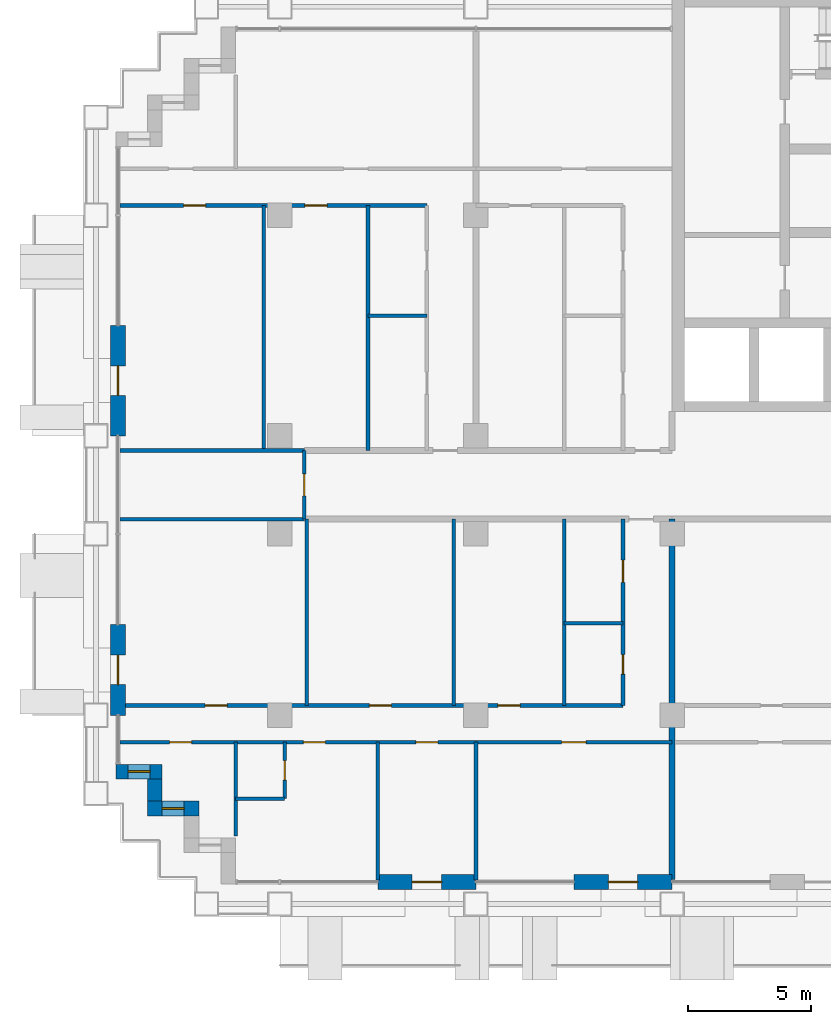
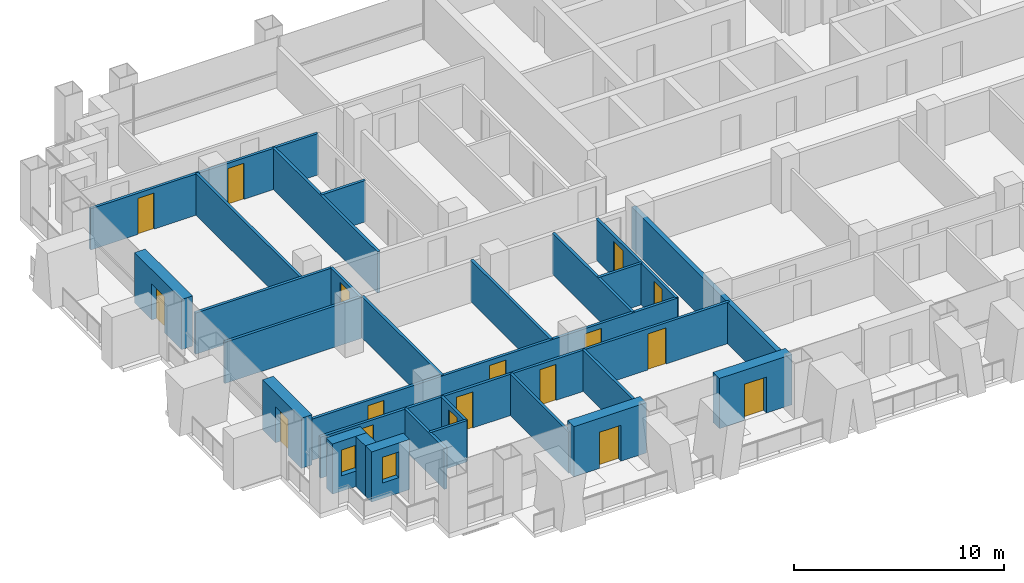
# One storey, part 9 of 18: 27 walls, 17 doors, 2 windows, 19 openings.
"""IFC4 building model written with IfcOpenShell, lengths in metres."""

from ifc_helpers import new_model, si_unit, direction, frame, frame_2d, origin, place, context, subcontext, project, spatial, rectangle, extrude, material, layer, layer_set, type_object, element, fill, save


model = new_model("IFC4")

# Units and contexts
model_context = context("Model", 3, precision=1e-05, world=origin(), true_north=direction((0.0, 1.0)))
body_context = subcontext(model_context, "Body", "Model", "MODEL_VIEW")
ifc_project = project(units=[si_unit("LENGTHUNIT", "METRE"), si_unit("AREAUNIT", "SQUARE_METRE"), si_unit("VOLUMEUNIT", "CUBIC_METRE"), si_unit("PLANEANGLEUNIT", "RADIAN"), si_unit("MASSUNIT", "GRAM", prefix="KILO")], contexts=[model_context])

# Site, building, storey
site_placement = place(None, origin())
site = spatial("IfcSite", under=ifc_project, at=site_placement, CompositionType="ELEMENT")
building_placement = place(site_placement, origin())
building = spatial("IfcBuilding", under=site, at=building_placement, Name="Vidyagriha Tower", CompositionType="ELEMENT")
storey_placement = place(building_placement, frame((0.0, 0.0, 51.199951171875)))
storey = spatial("IfcBuildingStorey", under=building, at=storey_placement, Name="L13", CompositionType="ELEMENT", Elevation=51.199951171875)

# Wall, opening, door
ifc_material_1 = material(Name="Precast concrete C40/50 with brick facing", Category="concrete")
ifc_layer_1 = layer(ifc_material_1, 0.60009765625)
ifc_layer_set_1 = layer_set([ifc_layer_1], Name="Precast concrete C40/50 with brick facing")
wall_type_1 = type_object("IfcWallType", Name="Brick-faced precast wall 600", PredefinedType="STANDARD", material=ifc_layer_set_1)
wall_1_placement = place(storey_placement, frame((-36.60009765625, 6.5, 0.0), z_axis=(0.0, 0.0, 1.0), x_axis=(0.0, -1.0, 0.0)))
wall_1 = element("IfcWall", 1, at=wall_1_placement, inside=storey, type_object=wall_type_1, Name="Brick door bay wall L13 R16.3", PredefinedType="STANDARD", context=body_context, shape_type="SweptSolid", body=[
    extrude(rectangle(XDim=4.5, YDim=0.60009765625, at=frame_2d((2.25, 0.0))), origin(), (0.0, 0.0, 1.0), 2.920166015625),
])
opening_1_placement = place(wall_1_placement, frame((1.64990234375, 0.0, 0.0)))
opening_1 = element("IfcOpeningElement", 2, at=opening_1_placement, cuts=wall_1, Name="Opening D13-71", PredefinedType="OPENING", context=body_context, shape_type="SweptSolid", body=[
    extrude(rectangle(XDim=1.199951171875, YDim=2.10009765625, at=frame_2d((0.60009765625, 1.050048828125))), frame((0.0, 0.31005859375, 0.0), z_axis=(0.0, -1.0, 0.0), x_axis=(1.0, 0.0, 0.0)), (0.0, 0.0, 1.0), 0.6201171875),
])
ifc_material_2 = material(Name="Aluminium framed glazed sliding door", Category="aluminium")
door_type_1 = type_object("IfcDoorType", Name="Balcony sliding door 1200x2100", OperationType="NOTDEFINED", PredefinedType="DOOR", material=ifc_material_2)
door_1_placement = place(opening_1_placement, origin())
door_1 = element("IfcDoor", 3, at=door_1_placement, inside=storey, type_object=door_type_1, Name="Door D13-71", OperationType="SLIDING_TO_LEFT", OverallHeight=2.10009765625, OverallWidth=1.199951171875, PredefinedType="DOOR", context=body_context, shape_type="SweptSolid", body=[
    extrude(rectangle(XDim=1.199951171875, YDim=2.10009765625, at=frame_2d((0.60009765625, 1.050048828125))), frame((0.0, 0.02490234375, 0.0), z_axis=(0.0, -1.0, 0.0), x_axis=(1.0, 0.0, 0.0)), (0.0, 0.0, 1.0), 0.050048828125),
])
fill(opening_1, door_1)

wall_2_placement = place(storey_placement, frame((-36.60009765625, -5.699951171875, 0.0), z_axis=(0.0, 0.0, 1.0), x_axis=(0.0, -1.0, 0.0)))
wall_2 = element("IfcWall", 4, at=wall_2_placement, inside=storey, type_object=wall_type_1, Name="Brick door bay wall L13 R16.6", PredefinedType="STANDARD", context=body_context, shape_type="SweptSolid", body=[
    extrude(rectangle(XDim=3.699951171875, YDim=0.60009765625, at=frame_2d((1.85009765625, 0.0))), origin(), (0.0, 0.0, 1.0), 2.920166015625),
])
opening_2_placement = place(wall_2_placement, frame((1.25, 0.0, 0.0)))
opening_2 = element("IfcOpeningElement", 5, at=opening_2_placement, cuts=wall_2, Name="Opening D13-72", PredefinedType="OPENING", context=body_context, shape_type="SweptSolid", body=[
    extrude(rectangle(XDim=1.199951171875, YDim=2.10009765625, at=frame_2d((0.60009765625, 1.050048828125))), frame((0.0, 0.31005859375, 0.0), z_axis=(0.0, -1.0, 0.0), x_axis=(1.0, 0.0, 0.0)), (0.0, 0.0, 1.0), 0.6201171875),
])
door_2_placement = place(opening_2_placement, origin())
door_2 = element("IfcDoor", 6, at=door_2_placement, inside=storey, type_object=door_type_1, Name="Door D13-72", OperationType="SLIDING_TO_LEFT", OverallHeight=2.10009765625, OverallWidth=1.199951171875, PredefinedType="DOOR", context=body_context, shape_type="SweptSolid", body=[
    extrude(rectangle(XDim=1.199951171875, YDim=2.10009765625, at=frame_2d((0.60009765625, 1.050048828125))), frame((0.0, 0.02490234375, 0.0), z_axis=(0.0, -1.0, 0.0), x_axis=(1.0, 0.0, 0.0)), (0.0, 0.0, 1.0), 0.050048828125),
])
fill(opening_2, door_2)

# Wall, opening, window
wall_3_placement = place(storey_placement, frame((-36.679931640625, -11.699951171875, 0.0)))
wall_3 = element("IfcWall", 7, at=wall_3_placement, inside=storey, type_object=wall_type_1, Name="Stepped corner wall L13 R17", PredefinedType="STANDARD", context=body_context, shape_type="SweptSolid", body=[
    extrude(rectangle(XDim=1.8798828125, YDim=0.60009765625, at=frame_2d((0.93994140625, 0.0))), origin(), (0.0, 0.0, 1.0), 2.920166015625),
])
opening_3_placement = place(wall_3_placement, frame((0.489990234375, 0.0, 0.89990234375)))
opening_3 = element("IfcOpeningElement", 8, at=opening_3_placement, cuts=wall_3, Name="Opening WN1", PredefinedType="OPENING", context=body_context, shape_type="SweptSolid", body=[
    extrude(rectangle(XDim=0.89990234375, YDim=1.5, at=frame_2d((0.449951171875, 0.75))), frame((0.0, 0.31005859375, 0.0), z_axis=(0.0, -1.0, 0.0), x_axis=(1.0, 0.0, 0.0)), (0.0, 0.0, 1.0), 0.6201171875),
])
ifc_material_3 = material(Name="Aluminium and glass window", Category="aluminium")
window_type = type_object("IfcWindowType", Name="Reveal window 900x1500", PartitioningType="NOTDEFINED", PredefinedType="WINDOW", material=ifc_material_3)
window_1_placement = place(opening_3_placement, origin())
window_1 = element("IfcWindow", 9, at=window_1_placement, inside=storey, type_object=window_type, Name="Reveal window L13 R17", OverallHeight=1.5, OverallWidth=0.89990234375, PartitioningType="SINGLE_PANEL", PredefinedType="WINDOW", context=body_context, shape_type="SweptSolid", body=[
    extrude(rectangle(XDim=0.89990234375, YDim=1.5, at=frame_2d((0.449951171875, 0.75))), frame((0.0, 0.030029296875, 0.0), z_axis=(0.0, -1.0, 0.0), x_axis=(1.0, 0.0, 0.0)), (0.0, 0.0, 1.0), 0.06005859375),
])
fill(opening_3, window_1)

# Wall
wall_4_placement = place(storey_placement, frame((-35.10009765625, -12.0, 0.0), z_axis=(0.0, 0.0, 1.0), x_axis=(0.0, -1.0, 0.0)))
element("IfcWall", 10, at=wall_4_placement, inside=storey, type_object=wall_type_1, Name="Stepped corner wall L13 R18", PredefinedType="STANDARD", context=body_context, shape_type="SweptSolid", body=[
    extrude(rectangle(XDim=0.89990234375, YDim=0.60009765625, at=frame_2d((0.449951171875, 0.0))), origin(), (0.0, 0.0, 1.0), 2.920166015625),
])

# Wall, opening, window
wall_5_placement = place(storey_placement, frame((-35.39990234375, -13.199951171875, 0.0)))
wall_5 = element("IfcWall", 11, at=wall_5_placement, inside=storey, type_object=wall_type_1, Name="Stepped corner wall L13 R19", PredefinedType="STANDARD", context=body_context, shape_type="SweptSolid", body=[
    extrude(rectangle(XDim=2.099853515625, YDim=0.60009765625, at=frame_2d((1.0498046875, 0.0))), origin(), (0.0, 0.0, 1.0), 2.920166015625),
])
opening_4_placement = place(wall_5_placement, frame((0.60009765625, 0.0, 0.89990234375)))
opening_4 = element("IfcOpeningElement", 12, at=opening_4_placement, cuts=wall_5, Name="Opening WN1", PredefinedType="OPENING", context=body_context, shape_type="SweptSolid", body=[
    extrude(rectangle(XDim=0.89990234375, YDim=1.5, at=frame_2d((0.449951171875, 0.75))), frame((0.0, 0.31005859375, 0.0), z_axis=(0.0, -1.0, 0.0), x_axis=(1.0, 0.0, 0.0)), (0.0, 0.0, 1.0), 0.6201171875),
])
window_2_placement = place(opening_4_placement, origin())
window_2 = element("IfcWindow", 13, at=window_2_placement, inside=storey, type_object=window_type, Name="Reveal window L13 R19", OverallHeight=1.5, OverallWidth=0.89990234375, PartitioningType="SINGLE_PANEL", PredefinedType="WINDOW", context=body_context, shape_type="SweptSolid", body=[
    extrude(rectangle(XDim=0.89990234375, YDim=1.5, at=frame_2d((0.449951171875, 0.75))), frame((0.0, 0.030029296875, 0.0), z_axis=(0.0, -1.0, 0.0), x_axis=(1.0, 0.0, 0.0)), (0.0, 0.0, 1.0), 0.06005859375),
])
fill(opening_4, window_2)

# Wall, opening, door
wall_6_placement = place(storey_placement, frame((-26.0, -16.199951171875, 0.0)))
wall_6 = element("IfcWall", 14, at=wall_6_placement, inside=storey, type_object=wall_type_1, Name="Brick door bay wall L13 R23.3", PredefinedType="STANDARD", context=body_context, shape_type="SweptSolid", body=[
    extrude(rectangle(XDim=4.0, YDim=0.60009765625, at=frame_2d((2.0, 0.0))), origin(), (0.0, 0.0, 1.0), 2.920166015625),
])
opening_5_placement = place(wall_6_placement, frame((1.39990234375, 0.0, 0.0)))
opening_5 = element("IfcOpeningElement", 15, at=opening_5_placement, cuts=wall_6, Name="Opening D13-73", PredefinedType="OPENING", context=body_context, shape_type="SweptSolid", body=[
    extrude(rectangle(XDim=1.199951171875, YDim=2.10009765625, at=frame_2d((0.60009765625, 1.050048828125))), frame((0.0, 0.31005859375, 0.0), z_axis=(0.0, -1.0, 0.0), x_axis=(1.0, 0.0, 0.0)), (0.0, 0.0, 1.0), 0.6201171875),
])
door_3_placement = place(opening_5_placement, origin())
door_3 = element("IfcDoor", 16, at=door_3_placement, inside=storey, type_object=door_type_1, Name="Door D13-73", OperationType="SLIDING_TO_LEFT", OverallHeight=2.10009765625, OverallWidth=1.199951171875, PredefinedType="DOOR", context=body_context, shape_type="SweptSolid", body=[
    extrude(rectangle(XDim=1.199951171875, YDim=2.10009765625, at=frame_2d((0.60009765625, 1.050048828125))), frame((0.0, 0.02490234375, 0.0), z_axis=(0.0, -1.0, 0.0), x_axis=(1.0, 0.0, 0.0)), (0.0, 0.0, 1.0), 0.050048828125),
])
fill(opening_5, door_3)

wall_7_placement = place(storey_placement, frame((-18.0, -16.199951171875, 0.0)))
wall_7 = element("IfcWall", 17, at=wall_7_placement, inside=storey, type_object=wall_type_1, Name="Brick door bay wall L13 R23.5", PredefinedType="STANDARD", context=body_context, shape_type="SweptSolid", body=[
    extrude(rectangle(XDim=4.0, YDim=0.60009765625, at=frame_2d((2.0, 0.0))), origin(), (0.0, 0.0, 1.0), 2.920166015625),
])
opening_6_placement = place(wall_7_placement, frame((1.39990234375, 0.0, 0.0)))
opening_6 = element("IfcOpeningElement", 18, at=opening_6_placement, cuts=wall_7, Name="Opening D13-74", PredefinedType="OPENING", context=body_context, shape_type="SweptSolid", body=[
    extrude(rectangle(XDim=1.199951171875, YDim=2.10009765625, at=frame_2d((0.60009765625, 1.050048828125))), frame((0.0, 0.31005859375, 0.0), z_axis=(0.0, -1.0, 0.0), x_axis=(1.0, 0.0, 0.0)), (0.0, 0.0, 1.0), 0.6201171875),
])
door_4_placement = place(opening_6_placement, origin())
door_4 = element("IfcDoor", 19, at=door_4_placement, inside=storey, type_object=door_type_1, Name="Door D13-74", OperationType="SLIDING_TO_LEFT", OverallHeight=2.10009765625, OverallWidth=1.199951171875, PredefinedType="DOOR", context=body_context, shape_type="SweptSolid", body=[
    extrude(rectangle(XDim=1.199951171875, YDim=2.10009765625, at=frame_2d((0.60009765625, 1.050048828125))), frame((0.0, 0.02490234375, 0.0), z_axis=(0.0, -1.0, 0.0), x_axis=(1.0, 0.0, 0.0)), (0.0, 0.0, 1.0), 0.050048828125),
])
fill(opening_6, door_4)

# Walls
ifc_material_4 = material(Name="Fired clay brick masonry", Category="masonry")
ifc_layer_2 = layer(ifc_material_4, 0.25)
ifc_layer_set_2 = layer_set([ifc_layer_2], Name="Fired clay brick masonry")
wall_type_2 = type_object("IfcWallType", Name="Fired clay brick demising wall 250", PredefinedType="PARTITIONING", material=ifc_layer_set_2)
wall_8_placement = place(storey_placement, frame((-14.0, -1.39990234375, 0.0), z_axis=(0.0, 0.0, 1.0), x_axis=(0.0, -1.0, 0.0)))
element("IfcWall", 20, at=wall_8_placement, inside=storey, type_object=wall_type_2, Name="Wall all-L13-w046", PredefinedType="PARTITIONING", context=body_context, shape_type="SweptSolid", body=[
    extrude(rectangle(XDim=14.710205078125, YDim=0.25, at=frame_2d((7.35498046875, 0.0))), origin(), (0.0, 0.0, 1.0), 2.400146484375),
])
ifc_material_5 = material(Name="Gypsum board partition")
ifc_layer_3 = layer(ifc_material_5, 0.14990234375)
ifc_layer_set_3 = layer_set([ifc_layer_3], Name="Gypsum board partition")
wall_type_3 = type_object("IfcWallType", Name="Gypsum board partition 150", PredefinedType="PARTITIONING", material=ifc_layer_set_3)
wall_9_placement = place(storey_placement, frame((-16.0, -5.64990234375, 0.0), z_axis=(0.0, 0.0, 1.0), x_axis=(-1.0, 0.0, 0.0)))
element("IfcWall", 21, at=wall_9_placement, inside=storey, type_object=wall_type_3, Name="Wall all-L13-w004", PredefinedType="PARTITIONING", context=body_context, shape_type="SweptSolid", body=[
    extrude(rectangle(XDim=2.39990234375, YDim=0.14990234375, at=frame_2d((1.199951171875, 0.0))), origin(), (0.0, 0.0, 1.0), 2.400146484375),
])
for number, where, z_axis, x_axis, name in (
    (22, (-18.39990234375, -9.0, 0.0), (0.0, 0.0, 1.0), (0.0, 1.0, 0.0), "Wall all-L13-w005"),
    (23, (-22.89990234375, -9.0, 0.0), (0.0, 0.0, 1.0), (0.0, 1.0, 0.0), "Wall all-L13-w006"),
    (24, (-28.89990234375, -9.0, 0.0), (0.0, 0.0, 1.0), (0.0, 1.0, 0.0), "Wall all-L13-w007"),
):
    element("IfcWall", number, at=place(storey_placement, frame(where, z_axis=z_axis, x_axis=x_axis)), inside=storey, type_object=wall_type_3, Name=name, PredefinedType="PARTITIONING", context=body_context, shape_type="SweptSolid", body=[
        extrude(rectangle(XDim=7.60009765625, YDim=0.14990234375, at=frame_2d((3.800048828125, 0.0))), origin(), (0.0, 0.0, 1.0), 2.400146484375),
    ])

# Wall, openings, doors
wall_10_placement = place(storey_placement, frame((-36.510009765625, -9.0, 0.0)))
wall_10 = element("IfcWall", 25, at=wall_10_placement, inside=storey, type_object=wall_type_3, Name="Wall all-L13-w008", PredefinedType="PARTITIONING", context=body_context, shape_type="SweptSolid", body=[
    extrude(rectangle(XDim=20.510009765625, YDim=0.14990234375, at=frame_2d((10.2548828125, 0.0))), origin(), (0.0, 0.0, 1.0), 2.400146484375),
])
opening_7_placement = place(wall_10_placement, frame((15.409912109375, 0.0, 0.0)))
opening_7 = element("IfcOpeningElement", 26, at=opening_7_placement, cuts=wall_10, Name="Opening D13-15", PredefinedType="OPENING", context=body_context, shape_type="SweptSolid", body=[
    extrude(rectangle(XDim=0.89990234375, YDim=2.10009765625, at=frame_2d((0.449951171875, 1.050048828125))), frame((0.0, 0.0849609375, 0.0), z_axis=(0.0, -1.0, 0.0), x_axis=(1.0, 0.0, 0.0)), (0.0, 0.0, 1.0), 0.169921875),
])
opening_8_placement = place(wall_10_placement, frame((10.159912109375, 0.0, 0.0)))
opening_8 = element("IfcOpeningElement", 27, at=opening_8_placement, cuts=wall_10, Name="Opening D13-16", PredefinedType="OPENING", context=body_context, shape_type="SweptSolid", body=[
    extrude(rectangle(XDim=0.89990234375, YDim=2.10009765625, at=frame_2d((0.449951171875, 1.050048828125))), frame((0.0, 0.0849609375, 0.0), z_axis=(0.0, -1.0, 0.0), x_axis=(1.0, 0.0, 0.0)), (0.0, 0.0, 1.0), 0.169921875),
])
opening_9_placement = place(wall_10_placement, frame((3.4599609375, 0.0, 0.0)))
opening_9 = element("IfcOpeningElement", 28, at=opening_9_placement, cuts=wall_10, Name="Opening D13-17", PredefinedType="OPENING", context=body_context, shape_type="SweptSolid", body=[
    extrude(rectangle(XDim=0.89990234375, YDim=2.10009765625, at=frame_2d((0.449951171875, 1.050048828125))), frame((0.0, 0.0849609375, 0.0), z_axis=(0.0, -1.0, 0.0), x_axis=(1.0, 0.0, 0.0)), (0.0, 0.0, 1.0), 0.169921875),
])
ifc_material_6 = material(Name="Timber door leaf", Category="wood")
door_type_2 = type_object("IfcDoorType", Name="Room door 900x2100", OperationType="NOTDEFINED", PredefinedType="DOOR", material=ifc_material_6)
door_5_placement = place(opening_7_placement, origin())
door_5 = element("IfcDoor", 29, at=door_5_placement, inside=storey, type_object=door_type_2, Name="Door D13-15", OperationType="SINGLE_SWING_RIGHT", OverallHeight=2.10009765625, OverallWidth=0.89990234375, PredefinedType="DOOR", context=body_context, shape_type="SweptSolid", body=[
    extrude(rectangle(XDim=0.89990234375, YDim=2.10009765625, at=frame_2d((0.449951171875, 1.050048828125))), frame((0.0, 0.02490234375, 0.0), z_axis=(0.0, -1.0, 0.0), x_axis=(1.0, 0.0, 0.0)), (0.0, 0.0, 1.0), 0.050048828125),
])
fill(opening_7, door_5)
door_6_placement = place(opening_8_placement, origin())
door_6 = element("IfcDoor", 30, at=door_6_placement, inside=storey, type_object=door_type_2, Name="Door D13-16", OperationType="SINGLE_SWING_RIGHT", OverallHeight=2.10009765625, OverallWidth=0.89990234375, PredefinedType="DOOR", context=body_context, shape_type="SweptSolid", body=[
    extrude(rectangle(XDim=0.89990234375, YDim=2.10009765625, at=frame_2d((0.449951171875, 1.050048828125))), frame((0.0, 0.02490234375, 0.0), z_axis=(0.0, -1.0, 0.0), x_axis=(1.0, 0.0, 0.0)), (0.0, 0.0, 1.0), 0.050048828125),
])
fill(opening_8, door_6)
door_7_placement = place(opening_9_placement, origin())
door_7 = element("IfcDoor", 31, at=door_7_placement, inside=storey, type_object=door_type_2, Name="Door D13-17", OperationType="SINGLE_SWING_LEFT", OverallHeight=2.10009765625, OverallWidth=0.89990234375, PredefinedType="DOOR", context=body_context, shape_type="SweptSolid", body=[
    extrude(rectangle(XDim=0.89990234375, YDim=2.10009765625, at=frame_2d((0.449951171875, 1.050048828125))), frame((0.0, 0.02490234375, 0.0), z_axis=(0.0, -1.0, 0.0), x_axis=(1.0, 0.0, 0.0)), (0.0, 0.0, 1.0), 0.050048828125),
])
fill(opening_9, door_7)

wall_11_placement = place(storey_placement, frame((-14.0, -10.5, 0.0), z_axis=(0.0, 0.0, 1.0), x_axis=(-1.0, 0.0, 0.0)))
wall_11 = element("IfcWall", 32, at=wall_11_placement, inside=storey, type_object=wall_type_3, Name="Wall all-L13-w012", PredefinedType="PARTITIONING", context=body_context, shape_type="SweptSolid", body=[
    extrude(rectangle(XDim=22.52001953125, YDim=0.14990234375, at=frame_2d((11.260009765625, 0.0))), origin(), (0.0, 0.0, 1.0), 2.400146484375),
])
opening_10_placement = place(wall_11_placement, frame((19.60009765625, 0.0, 0.0)))
opening_10 = element("IfcOpeningElement", 33, at=opening_10_placement, cuts=wall_11, Name="Opening D13-18", PredefinedType="OPENING", context=body_context, shape_type="SweptSolid", body=[
    extrude(rectangle(XDim=0.89990234375, YDim=2.10009765625, at=frame_2d((0.449951171875, 1.050048828125))), frame((0.0, 0.0849609375, 0.0), z_axis=(0.0, -1.0, 0.0), x_axis=(1.0, 0.0, 0.0)), (0.0, 0.0, 1.0), 0.169921875),
])
opening_11_placement = place(wall_11_placement, frame((14.139892578125, 0.0, 0.0)))
opening_11 = element("IfcOpeningElement", 34, at=opening_11_placement, cuts=wall_11, Name="Opening D13-19", PredefinedType="OPENING", context=body_context, shape_type="SweptSolid", body=[
    extrude(rectangle(XDim=0.89990234375, YDim=2.10009765625, at=frame_2d((0.449951171875, 1.050048828125))), frame((0.0, 0.0849609375, 0.0), z_axis=(0.0, -1.0, 0.0), x_axis=(1.0, 0.0, 0.0)), (0.0, 0.0, 1.0), 0.169921875),
])
opening_12_placement = place(wall_11_placement, frame((9.550048828125, 0.0, 0.0)))
opening_12 = element("IfcOpeningElement", 35, at=opening_12_placement, cuts=wall_11, Name="Opening D13-20", PredefinedType="OPENING", context=body_context, shape_type="SweptSolid", body=[
    extrude(rectangle(XDim=0.89990234375, YDim=2.10009765625, at=frame_2d((0.449951171875, 1.050048828125))), frame((0.0, 0.0849609375, 0.0), z_axis=(0.0, -1.0, 0.0), x_axis=(1.0, 0.0, 0.0)), (0.0, 0.0, 1.0), 0.169921875),
])
opening_13_placement = place(wall_11_placement, frame((3.5, 0.0, 0.0)))
opening_13 = element("IfcOpeningElement", 36, at=opening_13_placement, cuts=wall_11, Name="Opening D13-21", PredefinedType="OPENING", context=body_context, shape_type="SweptSolid", body=[
    extrude(rectangle(XDim=1.0, YDim=2.10009765625, at=frame_2d((0.5, 1.050048828125))), frame((0.0, 0.0849609375, 0.0), z_axis=(0.0, -1.0, 0.0), x_axis=(1.0, 0.0, 0.0)), (0.0, 0.0, 1.0), 0.169921875),
])
ifc_material_7 = material(Name="Timber door leaf", Category="wood")
door_type_3 = type_object("IfcDoorType", Name="Room door 1000x2100", OperationType="NOTDEFINED", PredefinedType="DOOR", material=ifc_material_7)
door_8_placement = place(opening_13_placement, origin())
door_8 = element("IfcDoor", 37, at=door_8_placement, inside=storey, type_object=door_type_3, Name="Door D13-21", OperationType="SINGLE_SWING_RIGHT", OverallHeight=2.10009765625, OverallWidth=1.0, PredefinedType="DOOR", context=body_context, shape_type="SweptSolid", body=[
    extrude(rectangle(XDim=1.0, YDim=2.10009765625, at=frame_2d((0.5, 1.050048828125))), frame((0.0, 0.02490234375, 0.0), z_axis=(0.0, -1.0, 0.0), x_axis=(1.0, 0.0, 0.0)), (0.0, 0.0, 1.0), 0.050048828125),
])
fill(opening_13, door_8)
door_9_placement = place(opening_10_placement, origin())
door_9 = element("IfcDoor", 38, at=door_9_placement, inside=storey, type_object=door_type_2, Name="Door D13-18", OperationType="SINGLE_SWING_LEFT", OverallHeight=2.10009765625, OverallWidth=0.89990234375, PredefinedType="DOOR", context=body_context, shape_type="SweptSolid", body=[
    extrude(rectangle(XDim=0.89990234375, YDim=2.10009765625, at=frame_2d((0.449951171875, 1.050048828125))), frame((0.0, 0.02490234375, 0.0), z_axis=(0.0, -1.0, 0.0), x_axis=(1.0, 0.0, 0.0)), (0.0, 0.0, 1.0), 0.050048828125),
])
fill(opening_10, door_9)
door_10_placement = place(opening_11_placement, origin())
door_10 = element("IfcDoor", 39, at=door_10_placement, inside=storey, type_object=door_type_2, Name="Door D13-19", OperationType="SINGLE_SWING_LEFT", OverallHeight=2.10009765625, OverallWidth=0.89990234375, PredefinedType="DOOR", context=body_context, shape_type="SweptSolid", body=[
    extrude(rectangle(XDim=0.89990234375, YDim=2.10009765625, at=frame_2d((0.449951171875, 1.050048828125))), frame((0.0, 0.02490234375, 0.0), z_axis=(0.0, -1.0, 0.0), x_axis=(1.0, 0.0, 0.0)), (0.0, 0.0, 1.0), 0.050048828125),
])
fill(opening_11, door_10)
door_11_placement = place(opening_12_placement, origin())
door_11 = element("IfcDoor", 40, at=door_11_placement, inside=storey, type_object=door_type_2, Name="Door D13-20", OperationType="SINGLE_SWING_RIGHT", OverallHeight=2.10009765625, OverallWidth=0.89990234375, PredefinedType="DOOR", context=body_context, shape_type="SweptSolid", body=[
    extrude(rectangle(XDim=0.89990234375, YDim=2.10009765625, at=frame_2d((0.449951171875, 1.050048828125))), frame((0.0, 0.02490234375, 0.0), z_axis=(0.0, -1.0, 0.0), x_axis=(1.0, 0.0, 0.0)), (0.0, 0.0, 1.0), 0.050048828125),
])
fill(opening_12, door_11)

# Walls
wall_12_placement = place(storey_placement, frame((-31.800048828125, -10.5, 0.0), z_axis=(0.0, 0.0, 1.0), x_axis=(0.0, -1.0, 0.0)))
element("IfcWall", 41, at=wall_12_placement, inside=storey, type_object=wall_type_3, Name="Wall all-L13-w017", PredefinedType="PARTITIONING", context=body_context, shape_type="SweptSolid", body=[
    extrude(rectangle(XDim=3.820068359375, YDim=0.14990234375, at=frame_2d((1.91015625, 0.0))), origin(), (0.0, 0.0, 1.0), 2.400146484375),
])
wall_13_placement = place(storey_placement, frame((-26.0, -10.5, 0.0), z_axis=(0.0, 0.0, 1.0), x_axis=(0.0, -1.0, 0.0)))
element("IfcWall", 42, at=wall_13_placement, inside=storey, type_object=wall_type_3, Name="Wall all-L13-w018", PredefinedType="PARTITIONING", context=body_context, shape_type="SweptSolid", body=[
    extrude(rectangle(XDim=5.62109375, YDim=0.14990234375, at=frame_2d((2.810546875, 0.0))), origin(), (0.0, 0.0, 1.0), 2.400146484375),
])
wall_14_placement = place(storey_placement, frame((-22.0, -10.5, 0.0), z_axis=(0.0, 0.0, 1.0), x_axis=(0.0, -1.0, 0.0)))
element("IfcWall", 43, at=wall_14_placement, inside=storey, type_object=wall_type_3, Name="Wall all-L13-w019", PredefinedType="PARTITIONING", context=body_context, shape_type="SweptSolid", body=[
    extrude(rectangle(XDim=5.610107421875, YDim=0.14990234375, at=frame_2d((2.80517578125, 0.0))), origin(), (0.0, 0.0, 1.0), 2.400146484375),
])

# Wall, opening, door
wall_15_placement = place(storey_placement, frame((-29.800048828125, -10.5, 0.0), z_axis=(0.0, 0.0, 1.0), x_axis=(0.0, -1.0, 0.0)))
wall_15 = element("IfcWall", 44, at=wall_15_placement, inside=storey, type_object=wall_type_3, Name="Wall all-L13-w020", PredefinedType="PARTITIONING", context=body_context, shape_type="SweptSolid", body=[
    extrude(rectangle(XDim=2.300048828125, YDim=0.14990234375, at=frame_2d((1.14990234375, 0.0))), origin(), (0.0, 0.0, 1.0), 2.400146484375),
])
opening_14_placement = place(wall_15_placement, frame((0.75, 0.0, 0.0)))
opening_14 = element("IfcOpeningElement", 45, at=opening_14_placement, cuts=wall_15, Name="Opening D13-22", PredefinedType="OPENING", context=body_context, shape_type="SweptSolid", body=[
    extrude(rectangle(XDim=0.800048828125, YDim=2.10009765625, at=frame_2d((0.39990234375, 1.050048828125))), frame((0.0, 0.0849609375, 0.0), z_axis=(0.0, -1.0, 0.0), x_axis=(1.0, 0.0, 0.0)), (0.0, 0.0, 1.0), 0.169921875),
])
ifc_material_8 = material(Name="Timber door leaf", Category="wood")
door_type_4 = type_object("IfcDoorType", Name="Bathroom door 800x2100", OperationType="NOTDEFINED", PredefinedType="DOOR", material=ifc_material_8)
door_12_placement = place(opening_14_placement, origin())
door_12 = element("IfcDoor", 46, at=door_12_placement, inside=storey, type_object=door_type_4, Name="Door D13-22", OperationType="SINGLE_SWING_LEFT", OverallHeight=2.10009765625, OverallWidth=0.800048828125, PredefinedType="DOOR", context=body_context, shape_type="SweptSolid", body=[
    extrude(rectangle(XDim=0.800048828125, YDim=2.10009765625, at=frame_2d((0.39990234375, 1.050048828125))), frame((0.0, 0.02490234375, 0.0), z_axis=(0.0, -1.0, 0.0), x_axis=(1.0, 0.0, 0.0)), (0.0, 0.0, 1.0), 0.050048828125),
])
fill(opening_14, door_12)

# Walls
wall_16_placement = place(storey_placement, frame((-29.800048828125, -12.800048828125, 0.0), z_axis=(0.0, 0.0, 1.0), x_axis=(-1.0, 0.0, 0.0)))
element("IfcWall", 47, at=wall_16_placement, inside=storey, type_object=wall_type_3, Name="Wall all-L13-w021", PredefinedType="PARTITIONING", context=body_context, shape_type="SweptSolid", body=[
    extrude(rectangle(XDim=2.0, YDim=0.14990234375, at=frame_2d((1.0, 0.0))), origin(), (0.0, 0.0, 1.0), 2.400146484375),
])
wall_17_placement = place(storey_placement, frame((-29.0, -1.39990234375, 0.0), z_axis=(0.0, 0.0, 1.0), x_axis=(-1.0, 0.0, 0.0)))
element("IfcWall", 48, at=wall_17_placement, inside=storey, type_object=wall_type_3, Name="Wall all-L13-w074", PredefinedType="PARTITIONING", context=body_context, shape_type="SweptSolid", body=[
    extrude(rectangle(XDim=7.52001953125, YDim=0.14990234375, at=frame_2d((3.760009765625, 0.0))), origin(), (0.0, 0.0, 1.0), 2.400146484375),
])
wall_18_placement = place(storey_placement, frame((-26.39990234375, 6.89990234375, 0.0)))
element("IfcWall", 49, at=wall_18_placement, inside=storey, type_object=wall_type_3, Name="Wall all-L13-w080", PredefinedType="PARTITIONING", context=body_context, shape_type="SweptSolid", body=[
    extrude(rectangle(XDim=2.39990234375, YDim=0.14990234375, at=frame_2d((1.199951171875, 0.0))), origin(), (0.0, 0.0, 1.0), 2.400146484375),
])
for number, where, z_axis, x_axis, name in (
    (50, (-26.39990234375, 1.39990234375, 0.0), (0.0, 0.0, 1.0), (0.0, 1.0, 0.0), "Wall all-L13-w081"),
    (51, (-30.64990234375, 1.39990234375, 0.0), (0.0, 0.0, 1.0), (0.0, 1.0, 0.0), "Wall all-L13-w082"),
):
    element("IfcWall", number, at=place(storey_placement, frame(where, z_axis=z_axis, x_axis=x_axis)), inside=storey, type_object=wall_type_3, Name=name, PredefinedType="PARTITIONING", context=body_context, shape_type="SweptSolid", body=[
        extrude(rectangle(XDim=10.0, YDim=0.14990234375, at=frame_2d((5.0, 0.0))), origin(), (0.0, 0.0, 1.0), 2.400146484375),
    ])

# Wall, openings, doors
wall_19_placement = place(storey_placement, frame((-24.0, 11.39990234375, 0.0), z_axis=(0.0, 0.0, 1.0), x_axis=(-1.0, 0.0, 0.0)))
wall_19 = element("IfcWall", 52, at=wall_19_placement, inside=storey, type_object=wall_type_3, Name="Wall all-L13-w083", PredefinedType="PARTITIONING", context=body_context, shape_type="SweptSolid", body=[
    extrude(rectangle(XDim=12.52001953125, YDim=0.14990234375, at=frame_2d((6.260009765625, 0.0))), origin(), (0.0, 0.0, 1.0), 2.400146484375),
])
opening_15_placement = place(wall_19_placement, frame((4.074951171875, 0.0, 0.0)))
opening_15 = element("IfcOpeningElement", 53, at=opening_15_placement, cuts=wall_19, Name="Opening D13-49", PredefinedType="OPENING", context=body_context, shape_type="SweptSolid", body=[
    extrude(rectangle(XDim=0.89990234375, YDim=2.10009765625, at=frame_2d((0.449951171875, 1.050048828125))), frame((0.0, 0.0849609375, 0.0), z_axis=(0.0, -1.0, 0.0), x_axis=(1.0, 0.0, 0.0)), (0.0, 0.0, 1.0), 0.169921875),
])
opening_16_placement = place(wall_19_placement, frame((9.02490234375, 0.0, 0.0)))
opening_16 = element("IfcOpeningElement", 54, at=opening_16_placement, cuts=wall_19, Name="Opening D13-50", PredefinedType="OPENING", context=body_context, shape_type="SweptSolid", body=[
    extrude(rectangle(XDim=0.89990234375, YDim=2.10009765625, at=frame_2d((0.449951171875, 1.050048828125))), frame((0.0, 0.0849609375, 0.0), z_axis=(0.0, -1.0, 0.0), x_axis=(1.0, 0.0, 0.0)), (0.0, 0.0, 1.0), 0.169921875),
])
door_13_placement = place(opening_15_placement, origin())
door_13 = element("IfcDoor", 55, at=door_13_placement, inside=storey, type_object=door_type_2, Name="Door D13-49", OperationType="SINGLE_SWING_RIGHT", OverallHeight=2.10009765625, OverallWidth=0.89990234375, PredefinedType="DOOR", context=body_context, shape_type="SweptSolid", body=[
    extrude(rectangle(XDim=0.89990234375, YDim=2.10009765625, at=frame_2d((0.449951171875, 1.050048828125))), frame((0.0, 0.02490234375, 0.0), z_axis=(0.0, -1.0, 0.0), x_axis=(1.0, 0.0, 0.0)), (0.0, 0.0, 1.0), 0.050048828125),
])
fill(opening_15, door_13)
door_14_placement = place(opening_16_placement, origin())
door_14 = element("IfcDoor", 56, at=door_14_placement, inside=storey, type_object=door_type_2, Name="Door D13-50", OperationType="SINGLE_SWING_RIGHT", OverallHeight=2.10009765625, OverallWidth=0.89990234375, PredefinedType="DOOR", context=body_context, shape_type="SweptSolid", body=[
    extrude(rectangle(XDim=0.89990234375, YDim=2.10009765625, at=frame_2d((0.449951171875, 1.050048828125))), frame((0.0, 0.02490234375, 0.0), z_axis=(0.0, -1.0, 0.0), x_axis=(1.0, 0.0, 0.0)), (0.0, 0.0, 1.0), 0.050048828125),
])
fill(opening_16, door_14)

# Wall
wall_20_placement = place(storey_placement, frame((-36.52001953125, 1.39990234375, 0.0)))
element("IfcWall", 57, at=wall_20_placement, inside=storey, type_object=wall_type_3, Name="Wall all-L13-w103", PredefinedType="PARTITIONING", context=body_context, shape_type="SweptSolid", body=[
    extrude(rectangle(XDim=7.52001953125, YDim=0.14990234375, at=frame_2d((3.760009765625, 0.0))), origin(), (0.0, 0.0, 1.0), 2.400146484375),
])

# Wall, opening, door
wall_21_placement = place(storey_placement, frame((-29.0, 1.39990234375, 0.0), z_axis=(0.0, 0.0, 1.0), x_axis=(0.0, -1.0, 0.0)))
wall_21 = element("IfcWall", 58, at=wall_21_placement, inside=storey, type_object=wall_type_3, Name="Wall all-L13-w127", PredefinedType="PARTITIONING", context=body_context, shape_type="SweptSolid", body=[
    extrude(rectangle(XDim=2.7998046875, YDim=0.14990234375, at=frame_2d((1.39990234375, 0.0))), origin(), (0.0, 0.0, 1.0), 2.400146484375),
])
opening_17_placement = place(wall_21_placement, frame((0.949951171875, 0.0, 0.0)))
opening_17 = element("IfcOpeningElement", 59, at=opening_17_placement, cuts=wall_21, Name="Opening D13-69", PredefinedType="OPENING", context=body_context, shape_type="SweptSolid", body=[
    extrude(rectangle(XDim=0.89990234375, YDim=2.10009765625, at=frame_2d((0.449951171875, 1.050048828125))), frame((0.0, 0.0849609375, 0.0), z_axis=(0.0, -1.0, 0.0), x_axis=(1.0, 0.0, 0.0)), (0.0, 0.0, 1.0), 0.169921875),
])
door_15_placement = place(opening_17_placement, origin())
door_15 = element("IfcDoor", 60, at=door_15_placement, inside=storey, type_object=door_type_2, Name="Door D13-69", OperationType="SINGLE_SWING_RIGHT", OverallHeight=2.10009765625, OverallWidth=0.89990234375, PredefinedType="DOOR", context=body_context, shape_type="SweptSolid", body=[
    extrude(rectangle(XDim=0.89990234375, YDim=2.10009765625, at=frame_2d((0.449951171875, 1.050048828125))), frame((0.0, 0.02490234375, 0.0), z_axis=(0.0, -1.0, 0.0), x_axis=(1.0, 0.0, 0.0)), (0.0, 0.0, 1.0), 0.050048828125),
])
fill(opening_17, door_15)

# Wall, openings, doors
ifc_material_9 = material(Name="Moisture resistant gypsum board partition")
ifc_layer_4 = layer(ifc_material_9, 0.14990234375)
ifc_layer_set_4 = layer_set([ifc_layer_4], Name="Moisture resistant gypsum board partition")
wall_type_4 = type_object("IfcWallType", Name="Gypsum board wet-area partition 150", PredefinedType="PARTITIONING", material=ifc_layer_set_4)
wall_22_placement = place(storey_placement, frame((-16.0, -9.0, 0.0), z_axis=(0.0, 0.0, 1.0), x_axis=(0.0, 1.0, 0.0)))
wall_22 = element("IfcWall", 61, at=wall_22_placement, inside=storey, type_object=wall_type_4, Name="Wall all-L13-w001", PredefinedType="PARTITIONING", context=body_context, shape_type="SweptSolid", body=[
    extrude(rectangle(XDim=7.60009765625, YDim=0.14990234375, at=frame_2d((3.800048828125, 0.0))), origin(), (0.0, 0.0, 1.0), 2.400146484375),
])
opening_18_placement = place(wall_22_placement, frame((5.02490234375, 0.0, 0.0)))
opening_18 = element("IfcOpeningElement", 62, at=opening_18_placement, cuts=wall_22, Name="Opening D13-13", PredefinedType="OPENING", context=body_context, shape_type="SweptSolid", body=[
    extrude(rectangle(XDim=0.89990234375, YDim=2.10009765625, at=frame_2d((0.449951171875, 1.050048828125))), frame((0.0, 0.0849609375, 0.0), z_axis=(0.0, -1.0, 0.0), x_axis=(1.0, 0.0, 0.0)), (0.0, 0.0, 1.0), 0.169921875),
])
opening_19_placement = place(wall_22_placement, frame((1.27490234375, 0.0, 0.0)))
opening_19 = element("IfcOpeningElement", 63, at=opening_19_placement, cuts=wall_22, Name="Opening D13-14", PredefinedType="OPENING", context=body_context, shape_type="SweptSolid", body=[
    extrude(rectangle(XDim=0.800048828125, YDim=2.10009765625, at=frame_2d((0.39990234375, 1.050048828125))), frame((0.0, 0.0849609375, 0.0), z_axis=(0.0, -1.0, 0.0), x_axis=(1.0, 0.0, 0.0)), (0.0, 0.0, 1.0), 0.169921875),
])
door_16_placement = place(opening_19_placement, origin())
door_16 = element("IfcDoor", 64, at=door_16_placement, inside=storey, type_object=door_type_4, Name="Door D13-14", OperationType="SINGLE_SWING_RIGHT", OverallHeight=2.10009765625, OverallWidth=0.800048828125, PredefinedType="DOOR", context=body_context, shape_type="SweptSolid", body=[
    extrude(rectangle(XDim=0.800048828125, YDim=2.10009765625, at=frame_2d((0.39990234375, 1.050048828125))), frame((0.0, 0.02490234375, 0.0), z_axis=(0.0, -1.0, 0.0), x_axis=(1.0, 0.0, 0.0)), (0.0, 0.0, 1.0), 0.050048828125),
])
fill(opening_19, door_16)
ifc_material_10 = material(Name="Timber door leaf", Category="wood")
door_type_5 = type_object("IfcDoorType", Name="Kitchen door 900x2100", OperationType="NOTDEFINED", PredefinedType="DOOR", material=ifc_material_10)
door_17_placement = place(opening_18_placement, origin())
door_17 = element("IfcDoor", 65, at=door_17_placement, inside=storey, type_object=door_type_5, Name="Door D13-13", OperationType="SINGLE_SWING_LEFT", OverallHeight=2.10009765625, OverallWidth=0.89990234375, PredefinedType="DOOR", context=body_context, shape_type="SweptSolid", body=[
    extrude(rectangle(XDim=0.89990234375, YDim=2.10009765625, at=frame_2d((0.449951171875, 1.050048828125))), frame((0.0, 0.02490234375, 0.0), z_axis=(0.0, -1.0, 0.0), x_axis=(1.0, 0.0, 0.0)), (0.0, 0.0, 1.0), 0.050048828125),
])
fill(opening_18, door_17)

save(model, "model.ifc")
